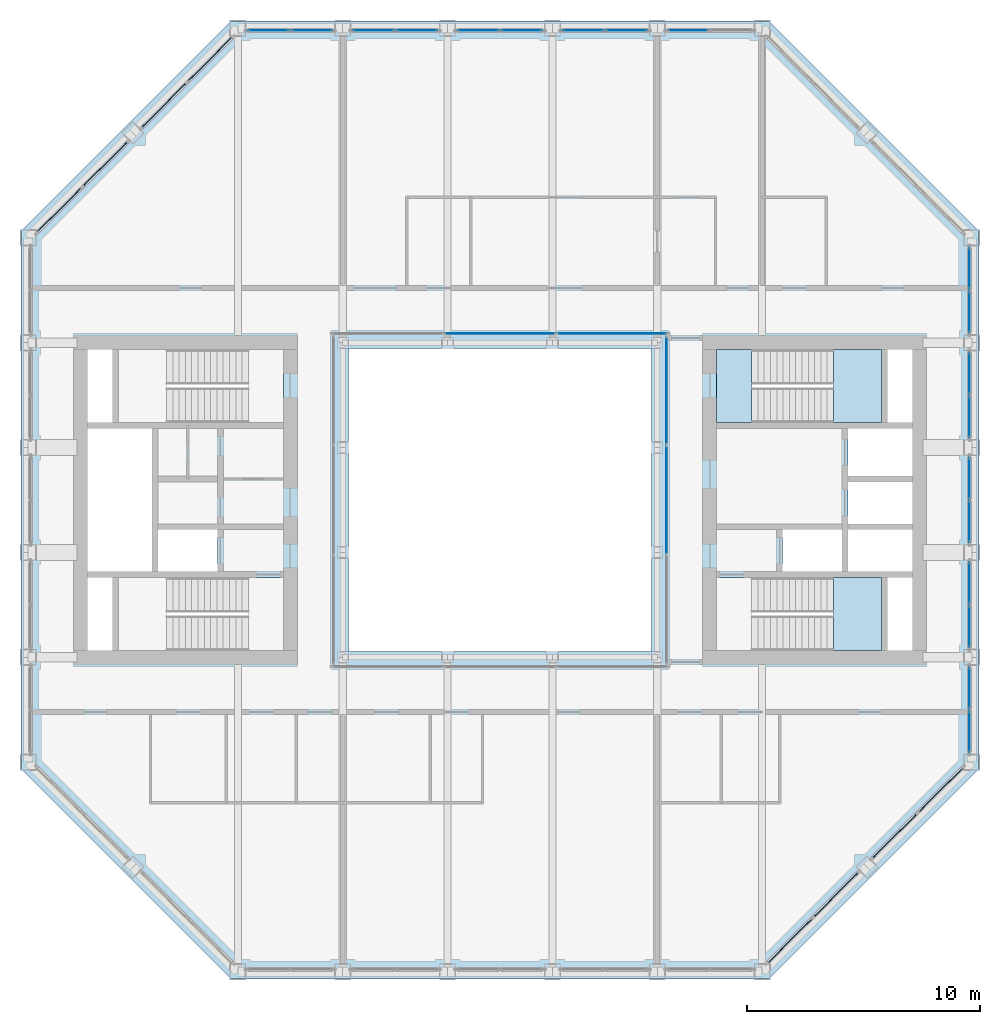
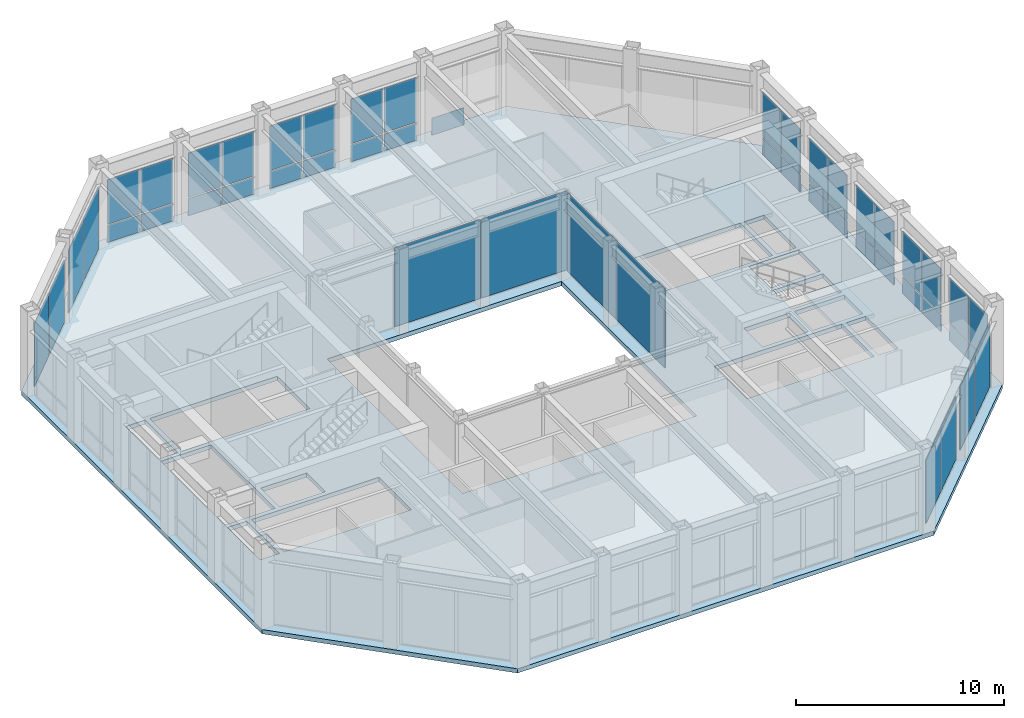
# One storey, part 10 of 15: 49 plates, 4 slabs, 18 elements without a shape of their own.
"""IFC4 building model written with IfcOpenShell, lengths in metres."""

import ifcopenshell
import ifcopenshell.guid

model = None  # the IFC model being written
_history = None  # IfcOwnerHistory: only IFC2X3 demands one
_inside = {}  # id of a spatial element -> (the spatial element, [elements in it])
_under = {}  # id of a project, library or spatial element -> (it, [spatial elements below it])
_declared = {}  # id of a project -> (the project, [libraries it declares])
_typed = {}  # id of a type object -> (the type object, [elements of that type])
_made_of = {}  # id of a material, layer set ... -> (it, [elements and type objects made of it])


def new_model(schema):
    """Start an empty IFC model of exactly this schema.

    Asked for "IFC4X3", IfcOpenShell would pick the latest addendum, in which some entities
    have other attributes; the version numbers below select the first issue.
    IFC2X3 requires an IfcOwnerHistory on every rooted entity: one is made here for all.
    """
    global model, _history
    if schema == "IFC4X3":
        model = ifcopenshell.file(schema_version=(4, 3, 0, 0))
    else:
        model = ifcopenshell.file(schema=schema)
    _inside.clear()
    _under.clear()
    _declared.clear()
    _typed.clear()
    _made_of.clear()
    _history = None
    if model.schema == "IFC2X3":
        org = make("IfcOrganization", Name="unknown")
        user = make(
            "IfcPersonAndOrganization",
            ThePerson=make("IfcPerson", FamilyName="unknown"),
            TheOrganization=org,
        )
        app = make(
            "IfcApplication",
            ApplicationDeveloper=org,
            Version="unknown",
            ApplicationFullName="unknown",
            ApplicationIdentifier="unknown",
        )
        _history = make(
            "IfcOwnerHistory",
            OwningUser=user,
            OwningApplication=app,
            ChangeAction="ADDED",
            CreationDate=0,
        )
    return model


def make(cls, **values):
    """One entity of the class cls with the attributes given. An attribute that is None is left unset."""
    return model.create_entity(
        cls, **{name: value for name, value in values.items() if value is not None}
    )


def rooted(cls, **values):
    """An entity with a GlobalId (a new one), such as an element, a storey or a relation."""
    return make(cls, GlobalId=ifcopenshell.guid.new(), OwnerHistory=_history, **values)


def si_unit(unit_type, name, prefix=None):
    """IfcSIUnit, for example si_unit("LENGTHUNIT", "METRE", prefix="MILLI")."""
    return make("IfcSIUnit", UnitType=unit_type, Prefix=prefix, Name=name)


def assignment(units):
    """IfcUnitAssignment: the units of a project."""
    return None if units is None else make("IfcUnitAssignment", Units=units)


def point(xyz):
    """IfcCartesianPoint."""
    return None if xyz is None else make("IfcCartesianPoint", Coordinates=xyz)


def direction(xyz):
    """IfcDirection."""
    return None if xyz is None else make("IfcDirection", DirectionRatios=xyz)


def frame(location, z_axis=None, x_axis=None):
    """IfcAxis2Placement3D, a coordinate frame: its origin and axes. An axis left out is left unset."""
    return make(
        "IfcAxis2Placement3D",
        Location=point(location),
        Axis=direction(z_axis),
        RefDirection=direction(x_axis),
    )


def frame_2d(location, x_axis=None):
    """IfcAxis2Placement2D, a coordinate frame in the plane: its origin and x axis."""
    return make(
        "IfcAxis2Placement2D", Location=point(location), RefDirection=direction(x_axis)
    )


def origin():
    """The frame at (0, 0, 0) with its axes left unset."""
    return frame((0.0, 0.0, 0.0))


def origin_2d():
    """The frame at (0, 0) in the plane with its x axis left unset."""
    return frame_2d((0.0, 0.0))


def place(relative_to, where):
    """IfcLocalPlacement: puts the frame where relative to a parent placement (None: the world)."""
    return make(
        "IfcLocalPlacement", PlacementRelTo=relative_to, RelativePlacement=where
    )


def context(
    kind, dimensions, precision=None, world=None, true_north=None, identifier=None
):
    """IfcGeometricRepresentationContext, for example the 3D "Model" context."""
    return make(
        "IfcGeometricRepresentationContext",
        ContextIdentifier=identifier,
        ContextType=kind,
        CoordinateSpaceDimension=dimensions,
        Precision=precision,
        WorldCoordinateSystem=world,
        TrueNorth=true_north,
    )


def subcontext(parent, identifier, kind, view, scale=None):
    """IfcGeometricRepresentationSubContext, for example "Body" below "Model"."""
    return make(
        "IfcGeometricRepresentationSubContext",
        ContextIdentifier=identifier,
        ContextType=kind,
        ParentContext=parent,
        TargetScale=scale,
        TargetView=view,
    )


def project(units=None, contexts=None):
    """IfcProject with its units and contexts."""
    return rooted(
        "IfcProject",
        Name="project",
        RepresentationContexts=contexts,
        UnitsInContext=assignment(units),
    )


def spatial(cls, under=None, at=None, **own):
    """A site, building, storey or space (cls), placed at a placement, below another one or the project."""
    s = rooted(cls, ObjectPlacement=at, **own)
    if under is not None:
        _under.setdefault(under.id(), (under, []))[1].append(s)
    return s


def polyline(points):
    """IfcPolyline through the points."""
    return make("IfcPolyline", Points=[point(p) for p in points])


def profile(cls, at=None, kind="AREA", **sizes):
    """A parametric profile (cls). Its sizes go by their IFC names, for example OverallWidth=200.0."""
    return make(cls, ProfileType=kind, Position=at, **sizes)


def rectangle(**sizes):
    """IfcRectangleProfileDef."""
    return profile("IfcRectangleProfileDef", **sizes)


def outline(outer, holes=None, kind="AREA"):
    """IfcArbitraryClosedProfileDef: a profile drawn as a closed curve; with holes, ...WithVoids."""
    if holes is None:
        return make("IfcArbitraryClosedProfileDef", ProfileType=kind, OuterCurve=outer)
    return make(
        "IfcArbitraryProfileDefWithVoids",
        ProfileType=kind,
        OuterCurve=outer,
        InnerCurves=holes,
    )


def extrude(swept, where, along, depth):
    """IfcExtrudedAreaSolid: the profile swept, set in the frame where, extruded along a direction by depth."""
    return make(
        "IfcExtrudedAreaSolid",
        SweptArea=swept,
        Position=where,
        ExtrudedDirection=direction(along),
        Depth=depth,
    )


def shape(context_of_items, identifier, shape_type, items):
    """IfcShapeRepresentation: the items that make up one representation, for example the "Body"."""
    return make(
        "IfcShapeRepresentation",
        ContextOfItems=context_of_items,
        RepresentationIdentifier=identifier,
        RepresentationType=shape_type,
        Items=items,
    )


def material(Name=None, Category=None):
    """IfcMaterial."""
    return make("IfcMaterial", Name=Name, Category=Category)


def layer(
    of_material, thickness, ventilated=None, Name=None, Category=None, Priority=None
):
    """IfcMaterialLayer: one layer of a wall or slab, of a material (None: an air gap)."""
    return make(
        "IfcMaterialLayer",
        Material=of_material,
        LayerThickness=thickness,
        IsVentilated=ventilated,
        Name=Name,
        Category=Category,
        Priority=Priority,
    )


def layer_set(layers, Name=None):
    """IfcMaterialLayerSet."""
    return make("IfcMaterialLayerSet", MaterialLayers=layers, LayerSetName=Name)


def made_of(thing, what):
    """Note that an element or type object is made of a material, layer set ...; save() writes the relation."""
    if what is not None:
        _made_of.setdefault(what.id(), (what, []))[1].append(thing)
    return thing


def type_object(cls, material=None, **own):
    """A type object (cls), such as IfcWallType, which elements share."""
    return made_of(rooted(cls, **own), material)


def element(
    cls,
    number,
    at=None,
    inside=None,
    cuts=None,
    type_object=None,
    material=None,
    context=None,
    identifier="Body",
    shape_type=None,
    held_by="IfcProductDefinitionShape",
    body=None,
    shapes=None,
    **own,
):
    """One element of the class cls, such as IfcWall. Its Tag is "e" and its number.

    at: its placement. inside: the storey or other place that contains it. cuts: it is an
    opening in that element (IfcRelVoidsElement). A single representation is given by context,
    identifier, shape_type and body (its items); several are given by shapes. held_by: the class
    of the entity that holds the representations. save() writes the other relations.
    """
    e = rooted(cls, Tag="e%d" % number, ObjectPlacement=at, **own)
    if body is not None:
        shapes = [shape(context, identifier, shape_type, body)]
    if shapes is not None:
        e.Representation = make(held_by, Representations=shapes)
    if inside is not None:
        _inside.setdefault(inside.id(), (inside, []))[1].append(e)
    if cuts is not None:
        rooted(
            "IfcRelVoidsElement", RelatingBuildingElement=cuts, RelatedOpeningElement=e
        )
    if type_object is not None:
        _typed.setdefault(type_object.id(), (type_object, []))[1].append(e)
    return made_of(e, material)


def aggregate(whole, parts):
    """IfcRelAggregates: a whole, such as a stair, and the parts it consists of."""
    return rooted("IfcRelAggregates", RelatingObject=whole, RelatedObjects=parts)


def save(model, path):
    """Write the relations noted so far, then the file.

    IfcRelAggregates (storeys below a building ...), IfcRelContainedInSpatialStructure (elements
    in a storey), IfcRelDefinesByType, IfcRelAssociatesMaterial and IfcRelDeclares: one each for
    every whole, place, type object, material and project.
    """
    for whole, parts in _under.values():
        aggregate(whole, parts)
    for where, things in _inside.values():
        rooted(
            "IfcRelContainedInSpatialStructure",
            RelatedElements=things,
            RelatingStructure=where,
        )
    for kind, things in _typed.values():
        rooted("IfcRelDefinesByType", RelatedObjects=things, RelatingType=kind)
    for what, things in _made_of.values():
        rooted("IfcRelAssociatesMaterial", RelatedObjects=things, RelatingMaterial=what)
    for by, libraries in _declared.values():
        rooted("IfcRelDeclares", RelatingContext=by, RelatedDefinitions=libraries)
    model.write(path)


model = new_model("IFC4")

# Units and contexts
model_context = context("Model", 3, precision=1e-05, world=origin(), true_north=direction((0.0, 1.0)))
body_context = subcontext(model_context, "Body", "Model", "MODEL_VIEW")
ifc_project = project(units=[si_unit("LENGTHUNIT", "METRE"), si_unit("AREAUNIT", "SQUARE_METRE"), si_unit("VOLUMEUNIT", "CUBIC_METRE"), si_unit("PLANEANGLEUNIT", "RADIAN"), si_unit("MASSUNIT", "GRAM", prefix="KILO")], contexts=[model_context])

# Site, building, storey
site_placement = place(None, origin())
site = spatial("IfcSite", under=ifc_project, at=site_placement, CompositionType="ELEMENT")
building_placement = place(site_placement, origin())
building = spatial("IfcBuilding", under=site, at=building_placement, Name="Msasa Ring Tower", CompositionType="ELEMENT")
storey_placement = place(building_placement, frame((0.0, 0.0, 257.050048828125)))
storey = spatial("IfcBuildingStorey", under=building, at=storey_placement, Name="L67", CompositionType="ELEMENT", Elevation=257.050048828125)

# Curtain wall, plates
ifc_material_1 = material(Name="Aluminium curtain wall with clear glass", Category="aluminium")
curtain_wall_type_1 = type_object("IfcCurtainWallType", Name="CW-C CHAMFER CORNER CURTAIN WALL", PredefinedType="NOTDEFINED", material=ifc_material_1)
curtain_wall_1_placement = place(storey_placement, origin())
curtain_wall_1 = element("IfcCurtainWall", 1, at=curtain_wall_1_placement, inside=storey, type_object=curtain_wall_type_1, Name="Chamfer corner curtain wall SE L67", PredefinedType="NOTDEFINED")
ifc_material_2 = material(Name="Clear laminated insulating glass unit", Category="glass")
ifc_layer_1 = layer(ifc_material_2, 0.031982421875)
ifc_layer_set_1 = layer_set([ifc_layer_1], Name="CW-C GLASS PANEL 32")
plate_type_1 = type_object("IfcPlateType", Name="CW-C GLASS PANEL 32", PredefinedType="CURTAIN_PANEL", material=ifc_layer_set_1)
plate_1_placement = place(storey_placement, frame((12.44140625, -18.917236328125, 0.06494140625), z_axis=(0.0, 0.0, 1.0), x_axis=(0.707106781187, 0.707106781187, 0.0)))
plate_1 = element("IfcPlate", 2, at=plate_1_placement, type_object=plate_type_1, Name="CW-C panel 1.1", PredefinedType="CURTAIN_PANEL", context=body_context, shape_type="SweptSolid", body=[
    extrude(rectangle(XDim=2.7294921875, YDim=0.031982421875, at=origin_2d()), origin(), (0.0, 0.0, 1.0), 3.698974609375),
])
plate_2_placement = place(storey_placement, frame((14.417236328125, -16.94140625, 0.06494140625), z_axis=(0.0, 0.0, 1.0), x_axis=(0.707106781187, 0.707106781187, 0.0)))
plate_2 = element("IfcPlate", 3, at=plate_2_placement, type_object=plate_type_1, Name="CW-C panel 2.1", PredefinedType="CURTAIN_PANEL", context=body_context, shape_type="SweptSolid", body=[
    extrude(rectangle(XDim=2.7294921875, YDim=0.031982421875, at=origin_2d()), origin(), (0.0, 0.0, 1.0), 3.698974609375),
])
aggregate(curtain_wall_1, [plate_1, plate_2])

curtain_wall_2_placement = place(storey_placement, origin())
curtain_wall_2 = element("IfcCurtainWall", 4, at=curtain_wall_2_placement, inside=storey, type_object=curtain_wall_type_1, Name="Chamfer corner curtain wall SE L67", PredefinedType="NOTDEFINED")
plate_3_placement = place(storey_placement, frame((16.94140625, -14.417236328125, 0.06494140625), z_axis=(0.0, 0.0, 1.0), x_axis=(0.707106781187, 0.707106781187, 0.0)))
plate_3 = element("IfcPlate", 5, at=plate_3_placement, type_object=plate_type_1, Name="CW-C panel 1.1", PredefinedType="CURTAIN_PANEL", context=body_context, shape_type="SweptSolid", body=[
    extrude(rectangle(XDim=2.7294921875, YDim=0.031982421875, at=origin_2d()), origin(), (0.0, 0.0, 1.0), 3.698974609375),
])
plate_4_placement = place(storey_placement, frame((18.917236328125, -12.44140625, 0.06494140625), z_axis=(0.0, 0.0, 1.0), x_axis=(0.707106781187, 0.707106781187, 0.0)))
plate_4 = element("IfcPlate", 6, at=plate_4_placement, type_object=plate_type_1, Name="CW-C panel 2.1", PredefinedType="CURTAIN_PANEL", context=body_context, shape_type="SweptSolid", body=[
    extrude(rectangle(XDim=2.7294921875, YDim=0.031982421875, at=origin_2d()), origin(), (0.0, 0.0, 1.0), 3.698974609375),
])
aggregate(curtain_wall_2, [plate_3, plate_4])

curtain_wall_3_placement = place(storey_placement, origin())
curtain_wall_3 = element("IfcCurtainWall", 7, at=curtain_wall_3_placement, inside=storey, type_object=curtain_wall_type_1, Name="Chamfer corner curtain wall NW L67", PredefinedType="NOTDEFINED")
plate_5_placement = place(storey_placement, frame((-16.94140625, 14.417236328125, 0.06494140625), z_axis=(0.0, 0.0, 1.0), x_axis=(-0.707106781187, -0.707106781187, 0.0)))
plate_5 = element("IfcPlate", 8, at=plate_5_placement, type_object=plate_type_1, Name="CW-C panel 1.1", PredefinedType="CURTAIN_PANEL", context=body_context, shape_type="SweptSolid", body=[
    extrude(rectangle(XDim=2.7294921875, YDim=0.031982421875, at=origin_2d()), origin(), (0.0, 0.0, 1.0), 3.698974609375),
])
plate_6_placement = place(storey_placement, frame((-18.917236328125, 12.44140625, 0.06494140625), z_axis=(0.0, 0.0, 1.0), x_axis=(-0.707106781187, -0.707106781187, 0.0)))
plate_6 = element("IfcPlate", 9, at=plate_6_placement, type_object=plate_type_1, Name="CW-C panel 2.1", PredefinedType="CURTAIN_PANEL", context=body_context, shape_type="SweptSolid", body=[
    extrude(rectangle(XDim=2.7294921875, YDim=0.031982421875, at=origin_2d()), origin(), (0.0, 0.0, 1.0), 3.698974609375),
])
aggregate(curtain_wall_3, [plate_5, plate_6])

curtain_wall_4_placement = place(storey_placement, origin())
curtain_wall_4 = element("IfcCurtainWall", 10, at=curtain_wall_4_placement, inside=storey, type_object=curtain_wall_type_1, Name="Chamfer corner curtain wall NW L67", PredefinedType="NOTDEFINED")
plate_7_placement = place(storey_placement, frame((-12.44140625, 18.917236328125, 0.06494140625), z_axis=(0.0, 0.0, 1.0), x_axis=(-0.707106781187, -0.707106781187, 0.0)))
plate_7 = element("IfcPlate", 11, at=plate_7_placement, type_object=plate_type_1, Name="CW-C panel 1.1", PredefinedType="CURTAIN_PANEL", context=body_context, shape_type="SweptSolid", body=[
    extrude(rectangle(XDim=2.7294921875, YDim=0.031982421875, at=origin_2d()), origin(), (0.0, 0.0, 1.0), 3.698974609375),
])
plate_8_placement = place(storey_placement, frame((-14.417236328125, 16.94140625, 0.06494140625), z_axis=(0.0, 0.0, 1.0), x_axis=(-0.707106781187, -0.707106781187, 0.0)))
plate_8 = element("IfcPlate", 12, at=plate_8_placement, type_object=plate_type_1, Name="CW-C panel 2.1", PredefinedType="CURTAIN_PANEL", context=body_context, shape_type="SweptSolid", body=[
    extrude(rectangle(XDim=2.7294921875, YDim=0.031982421875, at=origin_2d()), origin(), (0.0, 0.0, 1.0), 3.698974609375),
])
aggregate(curtain_wall_4, [plate_7, plate_8])

ifc_material_3 = material(Name="Aluminium curtain wall with clear glass", Category="aluminium")
curtain_wall_type_2 = type_object("IfcCurtainWallType", Name="CW-S SKY LOBBY CURTAIN WALL", PredefinedType="NOTDEFINED", material=ifc_material_3)
curtain_wall_5_placement = place(storey_placement, origin())
curtain_wall_5 = element("IfcCurtainWall", 13, at=curtain_wall_5_placement, inside=storey, type_object=curtain_wall_type_2, Name="Sky lobby curtain wall E L67", PredefinedType="NOTDEFINED")
ifc_material_4 = material(Name="Clear laminated insulating glass unit", Category="glass")
ifc_layer_2 = layer(ifc_material_4, 0.035888671875)
ifc_layer_set_2 = layer_set([ifc_layer_2], Name="CW-S GLASS PANEL 36")
plate_type_2 = type_object("IfcPlateType", Name="CW-S GLASS PANEL 36", PredefinedType="CURTAIN_PANEL", material=ifc_layer_set_2)
plate_9_placement = place(storey_placement, frame((20.14990234375, -9.9287109375, 0.07470703125), z_axis=(0.0, 0.0, 1.0), x_axis=(0.0, 1.0, 0.0)))
plate_9 = element("IfcPlate", 14, at=plate_9_placement, type_object=plate_type_2, Name="CW-S panel 1.1", PredefinedType="CURTAIN_PANEL", context=body_context, shape_type="SweptSolid", body=[
    extrude(rectangle(XDim=1.782470703125, YDim=0.035888671875, at=origin_2d()), origin(), (0.0, 0.0, 1.0), 0.987548828125),
])
plate_10_placement = place(storey_placement, frame((20.14990234375, -9.9287109375, 1.1376953125), z_axis=(0.0, 0.0, 1.0), x_axis=(0.0, 1.0, 0.0)))
plate_10 = element("IfcPlate", 15, at=plate_10_placement, type_object=plate_type_2, Name="CW-S panel 1.2", PredefinedType="CURTAIN_PANEL", context=body_context, shape_type="SweptSolid", body=[
    extrude(rectangle(XDim=1.782470703125, YDim=0.035888671875, at=origin_2d()), origin(), (0.0, 0.0, 1.0), 2.616455078125),
])
plate_11_placement = place(storey_placement, frame((20.14990234375, -8.0712890625, 0.07470703125), z_axis=(0.0, 0.0, 1.0), x_axis=(0.0, 1.0, 0.0)))
plate_11 = element("IfcPlate", 16, at=plate_11_placement, type_object=plate_type_2, Name="CW-S panel 2.1", PredefinedType="CURTAIN_PANEL", context=body_context, shape_type="SweptSolid", body=[
    extrude(rectangle(XDim=1.782470703125, YDim=0.035888671875, at=origin_2d()), origin(), (0.0, 0.0, 1.0), 0.987548828125),
])
plate_12_placement = place(storey_placement, frame((20.14990234375, -8.0712890625, 1.1376953125), z_axis=(0.0, 0.0, 1.0), x_axis=(0.0, 1.0, 0.0)))
plate_12 = element("IfcPlate", 17, at=plate_12_placement, type_object=plate_type_2, Name="CW-S panel 2.2", PredefinedType="CURTAIN_PANEL", context=body_context, shape_type="SweptSolid", body=[
    extrude(rectangle(XDim=1.782470703125, YDim=0.035888671875, at=origin_2d()), origin(), (0.0, 0.0, 1.0), 2.616455078125),
])
aggregate(curtain_wall_5, [plate_9, plate_10, plate_11, plate_12])

curtain_wall_6_placement = place(storey_placement, origin())
curtain_wall_6 = element("IfcCurtainWall", 18, at=curtain_wall_6_placement, inside=storey, type_object=curtain_wall_type_2, Name="Sky lobby curtain wall E L67", PredefinedType="NOTDEFINED")
plate_13_placement = place(storey_placement, frame((20.14990234375, -5.4287109375, 0.07470703125), z_axis=(0.0, 0.0, 1.0), x_axis=(0.0, 1.0, 0.0)))
plate_13 = element("IfcPlate", 19, at=plate_13_placement, type_object=plate_type_2, Name="CW-S panel 1.1", PredefinedType="CURTAIN_PANEL", context=body_context, shape_type="SweptSolid", body=[
    extrude(rectangle(XDim=1.782470703125, YDim=0.035888671875, at=origin_2d()), origin(), (0.0, 0.0, 1.0), 0.987548828125),
])
plate_14_placement = place(storey_placement, frame((20.14990234375, -5.4287109375, 1.1376953125), z_axis=(0.0, 0.0, 1.0), x_axis=(0.0, 1.0, 0.0)))
plate_14 = element("IfcPlate", 20, at=plate_14_placement, type_object=plate_type_2, Name="CW-S panel 1.2", PredefinedType="CURTAIN_PANEL", context=body_context, shape_type="SweptSolid", body=[
    extrude(rectangle(XDim=1.782470703125, YDim=0.035888671875, at=origin_2d()), origin(), (0.0, 0.0, 1.0), 2.616455078125),
])
plate_15_placement = place(storey_placement, frame((20.14990234375, -3.5712890625, 0.07470703125), z_axis=(0.0, 0.0, 1.0), x_axis=(0.0, 1.0, 0.0)))
plate_15 = element("IfcPlate", 21, at=plate_15_placement, type_object=plate_type_2, Name="CW-S panel 2.1", PredefinedType="CURTAIN_PANEL", context=body_context, shape_type="SweptSolid", body=[
    extrude(rectangle(XDim=1.782470703125, YDim=0.035888671875, at=origin_2d()), origin(), (0.0, 0.0, 1.0), 0.987548828125),
])
plate_16_placement = place(storey_placement, frame((20.14990234375, -3.5712890625, 1.1376953125), z_axis=(0.0, 0.0, 1.0), x_axis=(0.0, 1.0, 0.0)))
plate_16 = element("IfcPlate", 22, at=plate_16_placement, type_object=plate_type_2, Name="CW-S panel 2.2", PredefinedType="CURTAIN_PANEL", context=body_context, shape_type="SweptSolid", body=[
    extrude(rectangle(XDim=1.782470703125, YDim=0.035888671875, at=origin_2d()), origin(), (0.0, 0.0, 1.0), 2.616455078125),
])
aggregate(curtain_wall_6, [plate_13, plate_14, plate_15, plate_16])

curtain_wall_7_placement = place(storey_placement, origin())
curtain_wall_7 = element("IfcCurtainWall", 23, at=curtain_wall_7_placement, inside=storey, type_object=curtain_wall_type_2, Name="Sky lobby curtain wall E L67", PredefinedType="NOTDEFINED")
plate_17_placement = place(storey_placement, frame((20.14990234375, -0.9287109375, 0.07470703125), z_axis=(0.0, 0.0, 1.0), x_axis=(0.0, 1.0, 0.0)))
plate_17 = element("IfcPlate", 24, at=plate_17_placement, type_object=plate_type_2, Name="CW-S panel 1.1", PredefinedType="CURTAIN_PANEL", context=body_context, shape_type="SweptSolid", body=[
    extrude(rectangle(XDim=1.782470703125, YDim=0.035888671875, at=origin_2d()), origin(), (0.0, 0.0, 1.0), 0.987548828125),
])
plate_18_placement = place(storey_placement, frame((20.14990234375, -0.9287109375, 1.1376953125), z_axis=(0.0, 0.0, 1.0), x_axis=(0.0, 1.0, 0.0)))
plate_18 = element("IfcPlate", 25, at=plate_18_placement, type_object=plate_type_2, Name="CW-S panel 1.2", PredefinedType="CURTAIN_PANEL", context=body_context, shape_type="SweptSolid", body=[
    extrude(rectangle(XDim=1.782470703125, YDim=0.035888671875, at=origin_2d()), origin(), (0.0, 0.0, 1.0), 2.616455078125),
])
plate_19_placement = place(storey_placement, frame((20.14990234375, 0.9287109375, 0.07470703125), z_axis=(0.0, 0.0, 1.0), x_axis=(0.0, 1.0, 0.0)))
plate_19 = element("IfcPlate", 26, at=plate_19_placement, type_object=plate_type_2, Name="CW-S panel 2.1", PredefinedType="CURTAIN_PANEL", context=body_context, shape_type="SweptSolid", body=[
    extrude(rectangle(XDim=1.782470703125, YDim=0.035888671875, at=origin_2d()), origin(), (0.0, 0.0, 1.0), 0.987548828125),
])
plate_20_placement = place(storey_placement, frame((20.14990234375, 0.9287109375, 1.1376953125), z_axis=(0.0, 0.0, 1.0), x_axis=(0.0, 1.0, 0.0)))
plate_20 = element("IfcPlate", 27, at=plate_20_placement, type_object=plate_type_2, Name="CW-S panel 2.2", PredefinedType="CURTAIN_PANEL", context=body_context, shape_type="SweptSolid", body=[
    extrude(rectangle(XDim=1.782470703125, YDim=0.035888671875, at=origin_2d()), origin(), (0.0, 0.0, 1.0), 2.616455078125),
])
aggregate(curtain_wall_7, [plate_17, plate_18, plate_19, plate_20])

curtain_wall_8_placement = place(storey_placement, origin())
curtain_wall_8 = element("IfcCurtainWall", 28, at=curtain_wall_8_placement, inside=storey, type_object=curtain_wall_type_2, Name="Sky lobby curtain wall E L67", PredefinedType="NOTDEFINED")
plate_21_placement = place(storey_placement, frame((20.14990234375, 3.5712890625, 0.07470703125), z_axis=(0.0, 0.0, 1.0), x_axis=(0.0, 1.0, 0.0)))
plate_21 = element("IfcPlate", 29, at=plate_21_placement, type_object=plate_type_2, Name="CW-S panel 1.1", PredefinedType="CURTAIN_PANEL", context=body_context, shape_type="SweptSolid", body=[
    extrude(rectangle(XDim=1.782470703125, YDim=0.035888671875, at=origin_2d()), origin(), (0.0, 0.0, 1.0), 0.987548828125),
])
plate_22_placement = place(storey_placement, frame((20.14990234375, 3.5712890625, 1.1376953125), z_axis=(0.0, 0.0, 1.0), x_axis=(0.0, 1.0, 0.0)))
plate_22 = element("IfcPlate", 30, at=plate_22_placement, type_object=plate_type_2, Name="CW-S panel 1.2", PredefinedType="CURTAIN_PANEL", context=body_context, shape_type="SweptSolid", body=[
    extrude(rectangle(XDim=1.782470703125, YDim=0.035888671875, at=origin_2d()), origin(), (0.0, 0.0, 1.0), 2.616455078125),
])
plate_23_placement = place(storey_placement, frame((20.14990234375, 5.4287109375, 0.07470703125), z_axis=(0.0, 0.0, 1.0), x_axis=(0.0, 1.0, 0.0)))
plate_23 = element("IfcPlate", 31, at=plate_23_placement, type_object=plate_type_2, Name="CW-S panel 2.1", PredefinedType="CURTAIN_PANEL", context=body_context, shape_type="SweptSolid", body=[
    extrude(rectangle(XDim=1.782470703125, YDim=0.035888671875, at=origin_2d()), origin(), (0.0, 0.0, 1.0), 0.987548828125),
])
plate_24_placement = place(storey_placement, frame((20.14990234375, 5.4287109375, 1.1376953125), z_axis=(0.0, 0.0, 1.0), x_axis=(0.0, 1.0, 0.0)))
plate_24 = element("IfcPlate", 32, at=plate_24_placement, type_object=plate_type_2, Name="CW-S panel 2.2", PredefinedType="CURTAIN_PANEL", context=body_context, shape_type="SweptSolid", body=[
    extrude(rectangle(XDim=1.782470703125, YDim=0.035888671875, at=origin_2d()), origin(), (0.0, 0.0, 1.0), 2.616455078125),
])
aggregate(curtain_wall_8, [plate_21, plate_22, plate_23, plate_24])

curtain_wall_9_placement = place(storey_placement, origin())
curtain_wall_9 = element("IfcCurtainWall", 33, at=curtain_wall_9_placement, inside=storey, type_object=curtain_wall_type_2, Name="Sky lobby curtain wall E L67", PredefinedType="NOTDEFINED")
plate_25_placement = place(storey_placement, frame((20.14990234375, 8.0712890625, 0.07470703125), z_axis=(0.0, 0.0, 1.0), x_axis=(0.0, 1.0, 0.0)))
plate_25 = element("IfcPlate", 34, at=plate_25_placement, type_object=plate_type_2, Name="CW-S panel 1.1", PredefinedType="CURTAIN_PANEL", context=body_context, shape_type="SweptSolid", body=[
    extrude(rectangle(XDim=1.782470703125, YDim=0.035888671875, at=origin_2d()), origin(), (0.0, 0.0, 1.0), 0.987548828125),
])
plate_26_placement = place(storey_placement, frame((20.14990234375, 8.0712890625, 1.1376953125), z_axis=(0.0, 0.0, 1.0), x_axis=(0.0, 1.0, 0.0)))
plate_26 = element("IfcPlate", 35, at=plate_26_placement, type_object=plate_type_2, Name="CW-S panel 1.2", PredefinedType="CURTAIN_PANEL", context=body_context, shape_type="SweptSolid", body=[
    extrude(rectangle(XDim=1.782470703125, YDim=0.035888671875, at=origin_2d()), origin(), (0.0, 0.0, 1.0), 2.616455078125),
])
plate_27_placement = place(storey_placement, frame((20.14990234375, 9.9287109375, 0.07470703125), z_axis=(0.0, 0.0, 1.0), x_axis=(0.0, 1.0, 0.0)))
plate_27 = element("IfcPlate", 36, at=plate_27_placement, type_object=plate_type_2, Name="CW-S panel 2.1", PredefinedType="CURTAIN_PANEL", context=body_context, shape_type="SweptSolid", body=[
    extrude(rectangle(XDim=1.782470703125, YDim=0.035888671875, at=origin_2d()), origin(), (0.0, 0.0, 1.0), 0.987548828125),
])
plate_28_placement = place(storey_placement, frame((20.14990234375, 9.9287109375, 1.1376953125), z_axis=(0.0, 0.0, 1.0), x_axis=(0.0, 1.0, 0.0)))
plate_28 = element("IfcPlate", 37, at=plate_28_placement, type_object=plate_type_2, Name="CW-S panel 2.2", PredefinedType="CURTAIN_PANEL", context=body_context, shape_type="SweptSolid", body=[
    extrude(rectangle(XDim=1.782470703125, YDim=0.035888671875, at=origin_2d()), origin(), (0.0, 0.0, 1.0), 2.616455078125),
])
aggregate(curtain_wall_9, [plate_25, plate_26, plate_27, plate_28])

curtain_wall_10_placement = place(storey_placement, origin())
curtain_wall_10 = element("IfcCurtainWall", 38, at=curtain_wall_10_placement, inside=storey, type_object=curtain_wall_type_2, Name="Sky lobby curtain wall N L67", PredefinedType="NOTDEFINED")
plate_29_placement = place(storey_placement, frame((-9.9287109375, 20.14990234375, 0.07470703125), z_axis=(0.0, 0.0, 1.0), x_axis=(1.0, 0.0, 0.0)))
plate_29 = element("IfcPlate", 39, at=plate_29_placement, type_object=plate_type_2, Name="CW-S panel 1.1", PredefinedType="CURTAIN_PANEL", context=body_context, shape_type="SweptSolid", body=[
    extrude(rectangle(XDim=1.782470703125, YDim=0.035888671875, at=origin_2d()), origin(), (0.0, 0.0, 1.0), 0.987548828125),
])
plate_30_placement = place(storey_placement, frame((-9.9287109375, 20.14990234375, 1.1376953125), z_axis=(0.0, 0.0, 1.0), x_axis=(1.0, 0.0, 0.0)))
plate_30 = element("IfcPlate", 40, at=plate_30_placement, type_object=plate_type_2, Name="CW-S panel 1.2", PredefinedType="CURTAIN_PANEL", context=body_context, shape_type="SweptSolid", body=[
    extrude(rectangle(XDim=1.782470703125, YDim=0.035888671875, at=origin_2d()), origin(), (0.0, 0.0, 1.0), 2.616455078125),
])
plate_31_placement = place(storey_placement, frame((-8.0712890625, 20.14990234375, 0.07470703125), z_axis=(0.0, 0.0, 1.0), x_axis=(1.0, 0.0, 0.0)))
plate_31 = element("IfcPlate", 41, at=plate_31_placement, type_object=plate_type_2, Name="CW-S panel 2.1", PredefinedType="CURTAIN_PANEL", context=body_context, shape_type="SweptSolid", body=[
    extrude(rectangle(XDim=1.782470703125, YDim=0.035888671875, at=origin_2d()), origin(), (0.0, 0.0, 1.0), 0.987548828125),
])
plate_32_placement = place(storey_placement, frame((-8.0712890625, 20.14990234375, 1.1376953125), z_axis=(0.0, 0.0, 1.0), x_axis=(1.0, 0.0, 0.0)))
plate_32 = element("IfcPlate", 42, at=plate_32_placement, type_object=plate_type_2, Name="CW-S panel 2.2", PredefinedType="CURTAIN_PANEL", context=body_context, shape_type="SweptSolid", body=[
    extrude(rectangle(XDim=1.782470703125, YDim=0.035888671875, at=origin_2d()), origin(), (0.0, 0.0, 1.0), 2.616455078125),
])
aggregate(curtain_wall_10, [plate_29, plate_30, plate_31, plate_32])

curtain_wall_11_placement = place(storey_placement, origin())
curtain_wall_11 = element("IfcCurtainWall", 43, at=curtain_wall_11_placement, inside=storey, type_object=curtain_wall_type_2, Name="Sky lobby curtain wall N L67", PredefinedType="NOTDEFINED")
plate_33_placement = place(storey_placement, frame((-5.4287109375, 20.14990234375, 0.07470703125), z_axis=(0.0, 0.0, 1.0), x_axis=(1.0, 0.0, 0.0)))
plate_33 = element("IfcPlate", 44, at=plate_33_placement, type_object=plate_type_2, Name="CW-S panel 1.1", PredefinedType="CURTAIN_PANEL", context=body_context, shape_type="SweptSolid", body=[
    extrude(rectangle(XDim=1.782470703125, YDim=0.035888671875, at=origin_2d()), origin(), (0.0, 0.0, 1.0), 0.987548828125),
])
plate_34_placement = place(storey_placement, frame((-5.4287109375, 20.14990234375, 1.1376953125), z_axis=(0.0, 0.0, 1.0), x_axis=(1.0, 0.0, 0.0)))
plate_34 = element("IfcPlate", 45, at=plate_34_placement, type_object=plate_type_2, Name="CW-S panel 1.2", PredefinedType="CURTAIN_PANEL", context=body_context, shape_type="SweptSolid", body=[
    extrude(rectangle(XDim=1.782470703125, YDim=0.035888671875, at=origin_2d()), origin(), (0.0, 0.0, 1.0), 2.616455078125),
])
plate_35_placement = place(storey_placement, frame((-3.5712890625, 20.14990234375, 0.07470703125), z_axis=(0.0, 0.0, 1.0), x_axis=(1.0, 0.0, 0.0)))
plate_35 = element("IfcPlate", 46, at=plate_35_placement, type_object=plate_type_2, Name="CW-S panel 2.1", PredefinedType="CURTAIN_PANEL", context=body_context, shape_type="SweptSolid", body=[
    extrude(rectangle(XDim=1.782470703125, YDim=0.035888671875, at=origin_2d()), origin(), (0.0, 0.0, 1.0), 0.987548828125),
])
plate_36_placement = place(storey_placement, frame((-3.5712890625, 20.14990234375, 1.1376953125), z_axis=(0.0, 0.0, 1.0), x_axis=(1.0, 0.0, 0.0)))
plate_36 = element("IfcPlate", 47, at=plate_36_placement, type_object=plate_type_2, Name="CW-S panel 2.2", PredefinedType="CURTAIN_PANEL", context=body_context, shape_type="SweptSolid", body=[
    extrude(rectangle(XDim=1.782470703125, YDim=0.035888671875, at=origin_2d()), origin(), (0.0, 0.0, 1.0), 2.616455078125),
])
aggregate(curtain_wall_11, [plate_33, plate_34, plate_35, plate_36])

curtain_wall_12_placement = place(storey_placement, origin())
curtain_wall_12 = element("IfcCurtainWall", 48, at=curtain_wall_12_placement, inside=storey, type_object=curtain_wall_type_2, Name="Sky lobby curtain wall N L67", PredefinedType="NOTDEFINED")
plate_37_placement = place(storey_placement, frame((-0.9287109375, 20.14990234375, 0.07470703125), z_axis=(0.0, 0.0, 1.0), x_axis=(1.0, 0.0, 0.0)))
plate_37 = element("IfcPlate", 49, at=plate_37_placement, type_object=plate_type_2, Name="CW-S panel 1.1", PredefinedType="CURTAIN_PANEL", context=body_context, shape_type="SweptSolid", body=[
    extrude(rectangle(XDim=1.782470703125, YDim=0.035888671875, at=origin_2d()), origin(), (0.0, 0.0, 1.0), 0.987548828125),
])
plate_38_placement = place(storey_placement, frame((-0.9287109375, 20.14990234375, 1.1376953125), z_axis=(0.0, 0.0, 1.0), x_axis=(1.0, 0.0, 0.0)))
plate_38 = element("IfcPlate", 50, at=plate_38_placement, type_object=plate_type_2, Name="CW-S panel 1.2", PredefinedType="CURTAIN_PANEL", context=body_context, shape_type="SweptSolid", body=[
    extrude(rectangle(XDim=1.782470703125, YDim=0.035888671875, at=origin_2d()), origin(), (0.0, 0.0, 1.0), 2.616455078125),
])
plate_39_placement = place(storey_placement, frame((0.9287109375, 20.14990234375, 0.07470703125), z_axis=(0.0, 0.0, 1.0), x_axis=(1.0, 0.0, 0.0)))
plate_39 = element("IfcPlate", 51, at=plate_39_placement, type_object=plate_type_2, Name="CW-S panel 2.1", PredefinedType="CURTAIN_PANEL", context=body_context, shape_type="SweptSolid", body=[
    extrude(rectangle(XDim=1.782470703125, YDim=0.035888671875, at=origin_2d()), origin(), (0.0, 0.0, 1.0), 0.987548828125),
])
plate_40_placement = place(storey_placement, frame((0.9287109375, 20.14990234375, 1.1376953125), z_axis=(0.0, 0.0, 1.0), x_axis=(1.0, 0.0, 0.0)))
plate_40 = element("IfcPlate", 52, at=plate_40_placement, type_object=plate_type_2, Name="CW-S panel 2.2", PredefinedType="CURTAIN_PANEL", context=body_context, shape_type="SweptSolid", body=[
    extrude(rectangle(XDim=1.782470703125, YDim=0.035888671875, at=origin_2d()), origin(), (0.0, 0.0, 1.0), 2.616455078125),
])
aggregate(curtain_wall_12, [plate_37, plate_38, plate_39, plate_40])

curtain_wall_13_placement = place(storey_placement, origin())
curtain_wall_13 = element("IfcCurtainWall", 53, at=curtain_wall_13_placement, inside=storey, type_object=curtain_wall_type_2, Name="Sky lobby curtain wall N L67", PredefinedType="NOTDEFINED")
plate_41_placement = place(storey_placement, frame((3.5712890625, 20.14990234375, 0.07470703125), z_axis=(0.0, 0.0, 1.0), x_axis=(1.0, 0.0, 0.0)))
plate_41 = element("IfcPlate", 54, at=plate_41_placement, type_object=plate_type_2, Name="CW-S panel 1.1", PredefinedType="CURTAIN_PANEL", context=body_context, shape_type="SweptSolid", body=[
    extrude(rectangle(XDim=1.782470703125, YDim=0.035888671875, at=origin_2d()), origin(), (0.0, 0.0, 1.0), 0.987548828125),
])
plate_42_placement = place(storey_placement, frame((3.5712890625, 20.14990234375, 1.1376953125), z_axis=(0.0, 0.0, 1.0), x_axis=(1.0, 0.0, 0.0)))
plate_42 = element("IfcPlate", 55, at=plate_42_placement, type_object=plate_type_2, Name="CW-S panel 1.2", PredefinedType="CURTAIN_PANEL", context=body_context, shape_type="SweptSolid", body=[
    extrude(rectangle(XDim=1.782470703125, YDim=0.035888671875, at=origin_2d()), origin(), (0.0, 0.0, 1.0), 2.616455078125),
])
plate_43_placement = place(storey_placement, frame((5.4287109375, 20.14990234375, 0.07470703125), z_axis=(0.0, 0.0, 1.0), x_axis=(1.0, 0.0, 0.0)))
plate_43 = element("IfcPlate", 56, at=plate_43_placement, type_object=plate_type_2, Name="CW-S panel 2.1", PredefinedType="CURTAIN_PANEL", context=body_context, shape_type="SweptSolid", body=[
    extrude(rectangle(XDim=1.782470703125, YDim=0.035888671875, at=origin_2d()), origin(), (0.0, 0.0, 1.0), 0.987548828125),
])
plate_44_placement = place(storey_placement, frame((5.4287109375, 20.14990234375, 1.1376953125), z_axis=(0.0, 0.0, 1.0), x_axis=(1.0, 0.0, 0.0)))
plate_44 = element("IfcPlate", 57, at=plate_44_placement, type_object=plate_type_2, Name="CW-S panel 2.2", PredefinedType="CURTAIN_PANEL", context=body_context, shape_type="SweptSolid", body=[
    extrude(rectangle(XDim=1.782470703125, YDim=0.035888671875, at=origin_2d()), origin(), (0.0, 0.0, 1.0), 2.616455078125),
])
aggregate(curtain_wall_13, [plate_41, plate_42, plate_43, plate_44])

# Curtain wall, plate
curtain_wall_14_placement = place(storey_placement, origin())
curtain_wall_14 = element("IfcCurtainWall", 58, at=curtain_wall_14_placement, inside=storey, type_object=curtain_wall_type_2, Name="Sky lobby curtain wall N L67", PredefinedType="NOTDEFINED")
plate_45_placement = place(storey_placement, frame((8.0712890625, 20.14990234375, 0.07470703125), z_axis=(0.0, 0.0, 1.0), x_axis=(1.0, 0.0, 0.0)))
plate_45 = element("IfcPlate", 59, at=plate_45_placement, type_object=plate_type_2, Name="CW-S panel 1.1", PredefinedType="CURTAIN_PANEL", context=body_context, shape_type="SweptSolid", body=[
    extrude(rectangle(XDim=1.782470703125, YDim=0.035888671875, at=origin_2d()), origin(), (0.0, 0.0, 1.0), 0.987548828125),
])
aggregate(curtain_wall_14, [plate_45])

# Curtain wall, plates
ifc_material_5 = material(Name="Aluminium curtain wall with clear glass", Category="aluminium")
curtain_wall_type_3 = type_object("IfcCurtainWallType", Name="CW-W LIGHT WELL CURTAIN WALL", PredefinedType="NOTDEFINED", material=ifc_material_5)
curtain_wall_15_placement = place(storey_placement, origin())
curtain_wall_15 = element("IfcCurtainWall", 60, at=curtain_wall_15_placement, inside=storey, type_object=curtain_wall_type_3, Name="Light well curtain wall N L67", PredefinedType="NOTDEFINED")
ifc_material_6 = material(Name="Clear laminated insulating glass unit", Category="glass")
ifc_layer_3 = layer(ifc_material_6, 0.028076171875)
ifc_layer_set_3 = layer_set([ifc_layer_3], Name="CW-W GLASS PANEL 28")
plate_type_3 = type_object("IfcPlateType", Name="CW-W GLASS PANEL 28", PredefinedType="CURTAIN_PANEL", material=ifc_layer_set_3)
plate_46_placement = place(storey_placement, frame((0.0, 7.14990234375, 0.06005859375), z_axis=(0.0, 0.0, 1.0), x_axis=(1.0, 0.0, 0.0)))
plate_46 = element("IfcPlate", 61, at=plate_46_placement, type_object=plate_type_3, Name="CW-W panel 2.1", PredefinedType="CURTAIN_PANEL", context=body_context, shape_type="SweptSolid", body=[
    extrude(rectangle(XDim=4.760009765625, YDim=0.028076171875, at=origin_2d()), origin(), (0.0, 0.0, 1.0), 4.6298828125),
])
plate_47_placement = place(storey_placement, frame((4.804931640625, 7.14990234375, 0.06005859375), z_axis=(0.0, 0.0, 1.0), x_axis=(1.0, 0.0, 0.0)))
plate_47 = element("IfcPlate", 62, at=plate_47_placement, type_object=plate_type_3, Name="CW-W panel 3.1", PredefinedType="CURTAIN_PANEL", context=body_context, shape_type="SweptSolid", body=[
    extrude(rectangle(XDim=4.72998046875, YDim=0.028076171875, at=origin_2d()), origin(), (0.0, 0.0, 1.0), 4.6298828125),
])
aggregate(curtain_wall_15, [plate_46, plate_47])

curtain_wall_16_placement = place(storey_placement, origin())
curtain_wall_16 = element("IfcCurtainWall", 63, at=curtain_wall_16_placement, inside=storey, type_object=curtain_wall_type_3, Name="Light well curtain wall E L67", PredefinedType="NOTDEFINED")
plate_48_placement = place(storey_placement, frame((7.14990234375, 0.0, 0.06005859375), z_axis=(0.0, 0.0, 1.0), x_axis=(0.0, 1.0, 0.0)))
plate_48 = element("IfcPlate", 64, at=plate_48_placement, type_object=plate_type_3, Name="CW-W panel 2.1", PredefinedType="CURTAIN_PANEL", context=body_context, shape_type="SweptSolid", body=[
    extrude(rectangle(XDim=4.6533203125, YDim=0.028076171875, at=origin_2d()), origin(), (0.0, 0.0, 1.0), 4.6298828125),
])
plate_49_placement = place(storey_placement, frame((7.14990234375, 4.6982421875, 0.06005859375), z_axis=(0.0, 0.0, 1.0), x_axis=(0.0, 1.0, 0.0)))
plate_49 = element("IfcPlate", 65, at=plate_49_placement, type_object=plate_type_3, Name="CW-W panel 3.1", PredefinedType="CURTAIN_PANEL", context=body_context, shape_type="SweptSolid", body=[
    extrude(rectangle(XDim=4.623291015625, YDim=0.028076171875, at=origin_2d()), origin(), (0.0, 0.0, 1.0), 4.6298828125),
])
aggregate(curtain_wall_16, [plate_48, plate_49])

# Stair, slab
ifc_material_7 = material(Name="Concrete C40/50", Category="concrete")
stair_type = type_object("IfcStairType", Name="STC CORE STAIR 28 RISERS 178.6", PredefinedType="HALF_TURN_STAIR", material=ifc_material_7)
stair_1_placement = place(storey_placement, origin())
stair_1 = element("IfcStair", 66, at=stair_1_placement, inside=storey, type_object=stair_type, Name="Core stair SEA L67", PredefinedType="HALF_TURN_STAIR")
ifc_material_8 = material(Name="Concrete C40/50", Category="concrete")
ifc_layer_4 = layer(ifc_material_8, 0.199951171875)
ifc_layer_set_4 = layer_set([ifc_layer_4], Name="LD1 CORE STAIR LANDING 200")
slab_type_1 = type_object("IfcSlabType", Name="LD1 CORE STAIR LANDING 200", PredefinedType="LANDING", material=ifc_layer_set_4)
slab_1_placement = place(storey_placement, frame((0.0, 0.0, 2.300048828125)))
slab_1 = element("IfcSlab", 67, at=slab_1_placement, type_object=slab_type_1, Name="SEA landing 2", PredefinedType="LANDING", context=body_context, shape_type="SweptSolid", body=[
    extrude(outline(polyline([(14.31005859375, -6.449951171875), (16.375, -6.449951171875), (16.375, -3.324951171875), (14.31005859375, -3.324951171875), (14.31005859375, -6.449951171875)])), origin(), (0.0, 0.0, 1.0), 0.199951171875),
])
aggregate(stair_1, [slab_1])

# Stair, slabs
stair_2_placement = place(storey_placement, origin())
stair_2 = element("IfcStair", 68, at=stair_2_placement, inside=storey, type_object=stair_type, Name="Core stair SEB L67", PredefinedType="HALF_TURN_STAIR")
slab_2_placement = place(storey_placement, frame((0.0, 0.0, -0.199951171875)))
slab_2 = element("IfcSlab", 69, at=slab_2_placement, type_object=slab_type_1, Name="SEB landing 1", PredefinedType="LANDING", context=body_context, shape_type="SweptSolid", body=[
    extrude(outline(polyline([(9.300048828125, 3.324951171875), (10.800048828125, 3.324951171875), (10.800048828125, 6.449951171875), (9.300048828125, 6.449951171875), (9.300048828125, 3.324951171875)])), origin(), (0.0, 0.0, 1.0), 0.199951171875),
])
slab_3_placement = place(storey_placement, frame((0.0, 0.0, 2.300048828125)))
slab_3 = element("IfcSlab", 70, at=slab_3_placement, type_object=slab_type_1, Name="SEB landing 2", PredefinedType="LANDING", context=body_context, shape_type="SweptSolid", body=[
    extrude(outline(polyline([(14.31005859375, 3.324951171875), (16.375, 3.324951171875), (16.375, 6.449951171875), (14.31005859375, 6.449951171875), (14.31005859375, 3.324951171875)])), origin(), (0.0, 0.0, 1.0), 0.199951171875),
])
aggregate(stair_2, [slab_2, slab_3])

# Slab
ifc_material_9 = material(Name="Concrete C40/50", Category="concrete")
ifc_layer_5 = layer(ifc_material_9, 0.25)
ifc_layer_set_5 = layer_set([ifc_layer_5], Name="S9 SKY RESTAURANT FLOOR 250")
slab_type_2 = type_object("IfcSlabType", Name="S9 SKY RESTAURANT FLOOR 250", PredefinedType="FLOOR", material=ifc_layer_set_5)
slab_4_placement = place(storey_placement, frame((0.0, 0.0, -0.25)))
element("IfcSlab", 71, at=slab_4_placement, inside=storey, type_object=slab_type_2, Name="Floor slab L67", PredefinedType="FLOOR", context=body_context, shape_type="SweptSolid", body=[
    extrude(outline(polyline([(-11.550048828125, -20.550048828125), (11.550048828125, -20.550048828125), (20.550048828125, -11.550048828125), (20.550048828125, 11.550048828125), (11.550048828125, 20.550048828125), (-11.550048828125, 20.550048828125), (-20.550048828125, 11.550048828125), (-20.550048828125, -11.550048828125), (-11.550048828125, -20.550048828125)]), holes=[polyline([(-6.5, -6.5), (6.5, -6.5), (6.5, 6.5), (-6.5, 6.5), (-6.5, -6.5)]), polyline([(9.300048828125, -6.449951171875), (16.375, -6.449951171875), (16.375, -3.324951171875), (9.300048828125, -3.324951171875), (9.300048828125, -6.449951171875)]), polyline([(9.300048828125, 3.324951171875), (16.375, 3.324951171875), (16.375, 6.449951171875), (9.300048828125, 6.449951171875), (9.300048828125, 3.324951171875)]), polyline([(12.125, -3.074951171875), (14.675048828125, -3.074951171875), (14.675048828125, -1.27490234375), (12.125, -1.27490234375), (12.125, -3.074951171875)]), polyline([(16.625, -6.449951171875), (17.699951171875, -6.449951171875), (17.699951171875, -3.324951171875), (16.625, -3.324951171875), (16.625, -6.449951171875)]), polyline([(16.625, 3.324951171875), (17.699951171875, 3.324951171875), (17.699951171875, 6.449951171875), (16.625, 6.449951171875), (16.625, 3.324951171875)]), polyline([(14.925048828125, -3.074951171875), (17.699951171875, -3.074951171875), (17.699951171875, -1.27490234375), (14.925048828125, -1.27490234375), (14.925048828125, -3.074951171875)]), polyline([(14.925048828125, -1.02490234375), (17.699951171875, -1.02490234375), (17.699951171875, 0.77490234375), (14.925048828125, 0.77490234375), (14.925048828125, -1.02490234375)]), polyline([(14.925048828125, 1.02490234375), (17.699951171875, 1.02490234375), (17.699951171875, 3.074951171875), (14.925048828125, 3.074951171875), (14.925048828125, 1.02490234375)]), polyline([(-16.375, -6.449951171875), (-9.300048828125, -6.449951171875), (-9.300048828125, -3.324951171875), (-16.375, -3.324951171875), (-16.375, -6.449951171875)]), polyline([(-16.375, 3.324951171875), (-9.300048828125, 3.324951171875), (-9.300048828125, 6.449951171875), (-16.375, 6.449951171875), (-16.375, 3.324951171875)]), polyline([(-14.675048828125, -3.074951171875), (-12.125, -3.074951171875), (-12.125, -1.27490234375), (-14.675048828125, -1.27490234375), (-14.675048828125, -3.074951171875)]), polyline([(-17.699951171875, -6.449951171875), (-16.625, -6.449951171875), (-16.625, -3.324951171875), (-17.699951171875, -3.324951171875), (-17.699951171875, -6.449951171875)]), polyline([(-17.699951171875, 3.324951171875), (-16.625, 3.324951171875), (-16.625, 6.449951171875), (-17.699951171875, 6.449951171875), (-17.699951171875, 3.324951171875)]), polyline([(-17.699951171875, -3.074951171875), (-14.925048828125, -3.074951171875), (-14.925048828125, 3.074951171875), (-17.699951171875, 3.074951171875), (-17.699951171875, -3.074951171875)])]), origin(), (0.0, 0.0, 1.0), 0.25),
])

save(model, "model.ifc")
